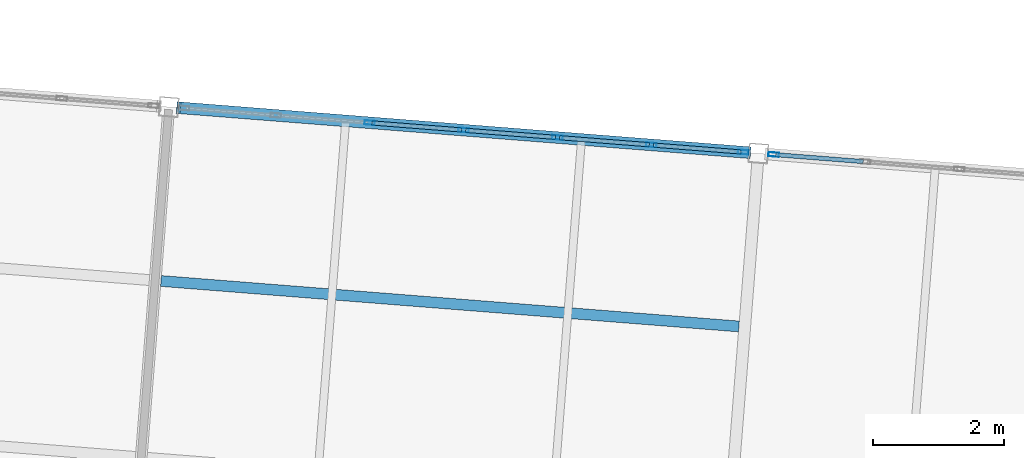
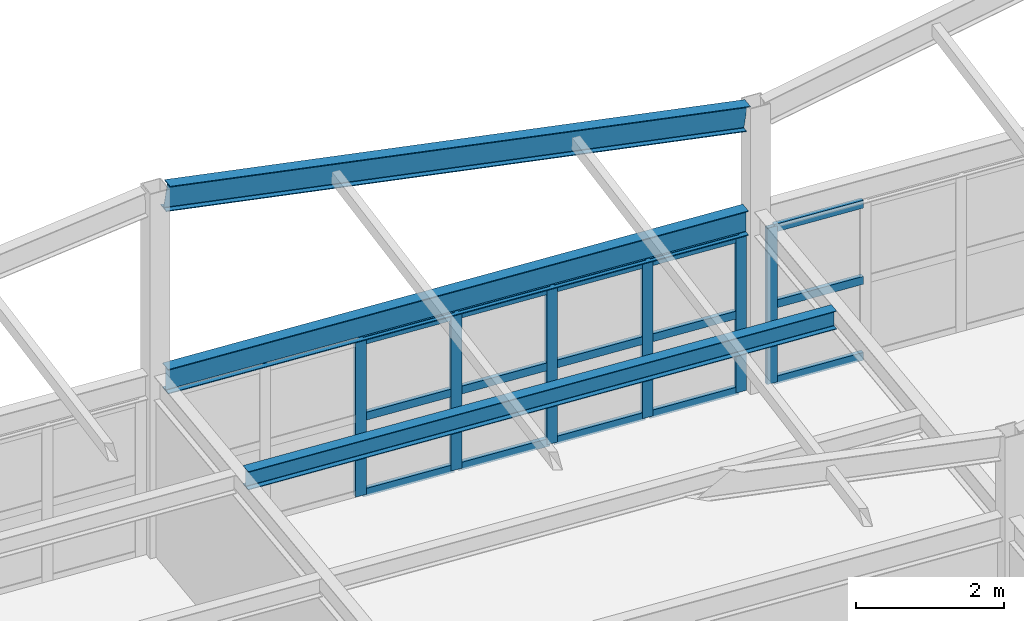
# One storey, part 51 of 127: 21 members, 3 beams, 2 elements without a shape of their own.
"""IFC4 building model written with IfcOpenShell, lengths in metres."""

from ifc_helpers import new_model, si_unit, direction, frame, origin, origin_2d, place, context, subcontext, project, spatial, hollow_rectangle, i_section, extrude, material, material_profile, profile_set, type_object, element, aggregate, save


model = new_model("IFC4")

# Units and contexts
model_context = context("Model", 3, precision=1e-05, world=origin(), true_north=direction((0.0, 1.0)))
body_context = subcontext(model_context, "Body", "Model", "MODEL_VIEW")
ifc_project = project(units=[si_unit("LENGTHUNIT", "METRE"), si_unit("AREAUNIT", "SQUARE_METRE"), si_unit("VOLUMEUNIT", "CUBIC_METRE"), si_unit("PLANEANGLEUNIT", "RADIAN"), si_unit("MASSUNIT", "GRAM", prefix="KILO")], contexts=[model_context])

# Site, building, storey
site_placement = place(None, origin())
site = spatial("IfcSite", under=ifc_project, at=site_placement, CompositionType="ELEMENT")
building_placement = place(site_placement, origin())
building = spatial("IfcBuilding", under=site, at=building_placement, Name="Kestramere Prow Commons", CompositionType="ELEMENT")
storey_placement = place(building_placement, frame((0.0, 0.0, 8.39990234375)))
storey = spatial("IfcBuildingStorey", under=building, at=storey_placement, Name="L02", CompositionType="ELEMENT", Elevation=8.39990234375)

# Beams
ifc_material_1 = material(Name="Steel S355JR", Category="steel")
ifc_material_profile_1 = material_profile(ifc_material_1, i_section(OverallWidth=0.177978515625, OverallDepth=0.406494140625, WebThickness=0.0078125, FlangeThickness=0.0126953125, FilletRadius=0.01025390625, at=origin_2d()), Name="UB 406x178x60")
ifc_profile_set_1 = profile_set([ifc_material_profile_1], Name="Steel S355JR")
beam_type_1 = type_object("IfcBeamType", Name="BM-NR-01 UB 406x178x60 (EX)", PredefinedType="BEAM", material=ifc_profile_set_1)
beam_1_placement = place(storey_placement, frame((88.5771484375, 108.001953125, 2.796875), z_axis=(0.996917066238, -0.078462494502, 0.0), x_axis=(0.078462494502, 0.996917066238, 0.0)))
element("IfcBeam", 1, at=beam_1_placement, inside=storey, type_object=beam_type_1, Name="Nursery L02 Beam U 4-3", PredefinedType="BEAM", context=body_context, shape_type="SweptSolid", body=[
    extrude(i_section(OverallWidth=0.177978515625, OverallDepth=0.406494140625, WebThickness=0.0078125, FlangeThickness=0.0126953125, FilletRadius=0.01025390625, at=origin_2d()), origin(), (0.0, 0.0, 1.0), 8.699951171875),
])
beam_2_placement = place(storey_placement, frame((88.5771484375, 108.001953125, 5.81689453125), z_axis=(0.985969484582, -0.077600863586, -0.147791344276), x_axis=(0.078462494502, 0.996917066238, 0.0)))
element("IfcBeam", 2, at=beam_2_placement, inside=storey, type_object=beam_type_1, Name="Nursery Butterfly Rafter 4-3", PredefinedType="BEAM", context=body_context, shape_type="SweptSolid", body=[
    extrude(i_section(OverallWidth=0.177978515625, OverallDepth=0.406494140625, WebThickness=0.0078125, FlangeThickness=0.0126953125, FilletRadius=0.01025390625, at=origin_2d()), origin(), (0.0, 0.0, 1.0), 8.796630859375),
])

# Curtain wall, members
ifc_material_2 = material(Name="Anodised Aluminium and Low-E Glass", Category="aluminium")
curtain_wall_type = type_object("IfcCurtainWallType", Name="CW-17 Glazed Curtain Wall 8600x2580", PredefinedType="USERDEFINED", material=ifc_material_2)
curtain_wall_1_placement = place(storey_placement, origin())
curtain_wall_1 = element("IfcCurtainWall", 3, at=curtain_wall_1_placement, inside=storey, type_object=curtain_wall_type, Name="Nursery L02 North Garden Glazing 3", ObjectType="GLAZED CURTAIN WALL", PredefinedType="USERDEFINED")
ifc_material_3 = material(Name="Anodised Aluminium 6063-T6", Category="aluminium")
ifc_material_profile_2 = material_profile(ifc_material_3, hollow_rectangle(XDim=0.06494140625, YDim=0.159912109375, WallThickness=0.00390625, at=origin_2d()), Name="ALU-MUL 65x160")
ifc_profile_set_2 = profile_set([ifc_material_profile_2], Name="Anodised Aluminium 6063-T6")
member_type_1 = type_object("IfcMemberType", Name="CW-MUL-65x160", PredefinedType="MULLION", material=ifc_profile_set_2)
member_1_placement = place(storey_placement, frame((91.48486328125, 107.773193359375, 0.0), z_axis=(0.0, 0.0, 1.0), x_axis=(0.078459070568, 0.996917335713, 0.0)))
member_1 = element("IfcMember", 4, at=member_1_placement, type_object=member_type_1, Name="CW-17 mullion 3", PredefinedType="MULLION", context=body_context, shape_type="SweptSolid", body=[
    extrude(hollow_rectangle(XDim=0.06494140625, YDim=0.159912109375, WallThickness=0.00390625, at=origin_2d()), origin(), (0.0, 0.0, 1.0), 2.580078125),
])
member_2_placement = place(storey_placement, frame((92.91357421875, 107.66064453125, 0.0), z_axis=(0.0, 0.0, 1.0), x_axis=(0.078459070568, 0.996917335713, 0.0)))
member_2 = element("IfcMember", 5, at=member_2_placement, type_object=member_type_1, Name="CW-17 mullion 4", PredefinedType="MULLION", context=body_context, shape_type="SweptSolid", body=[
    extrude(hollow_rectangle(XDim=0.06494140625, YDim=0.159912109375, WallThickness=0.00390625, at=origin_2d()), origin(), (0.0, 0.0, 1.0), 2.580078125),
])
member_3_placement = place(storey_placement, frame((94.342529296875, 107.54833984375, 0.0), z_axis=(0.0, 0.0, 1.0), x_axis=(0.078459070568, 0.996917335713, 0.0)))
member_3 = element("IfcMember", 6, at=member_3_placement, type_object=member_type_1, Name="CW-17 mullion 5", PredefinedType="MULLION", context=body_context, shape_type="SweptSolid", body=[
    extrude(hollow_rectangle(XDim=0.06494140625, YDim=0.159912109375, WallThickness=0.00390625, at=origin_2d()), origin(), (0.0, 0.0, 1.0), 2.580078125),
])
member_4_placement = place(storey_placement, frame((95.771484375, 107.435791015625, 0.0), z_axis=(0.0, 0.0, 1.0), x_axis=(0.078459070568, 0.996917335713, 0.0)))
member_4 = element("IfcMember", 7, at=member_4_placement, type_object=member_type_1, Name="CW-17 mullion 6", PredefinedType="MULLION", context=body_context, shape_type="SweptSolid", body=[
    extrude(hollow_rectangle(XDim=0.06494140625, YDim=0.159912109375, WallThickness=0.00390625, at=origin_2d()), origin(), (0.0, 0.0, 1.0), 2.580078125),
])
member_5_placement = place(storey_placement, frame((97.16796875, 107.325927734375, 0.0), z_axis=(0.0, 0.0, 1.0), x_axis=(0.078459070568, 0.996917335713, 0.0)))
member_5 = element("IfcMember", 8, at=member_5_placement, type_object=member_type_1, Name="CW-17 mullion 7", PredefinedType="MULLION", context=body_context, shape_type="SweptSolid", body=[
    extrude(hollow_rectangle(XDim=0.06494140625, YDim=0.159912109375, WallThickness=0.00390625, at=origin_2d()), origin(), (0.0, 0.0, 1.0), 2.580078125),
])

# Curtain wall, member
curtain_wall_2_placement = place(storey_placement, origin())
curtain_wall_2 = element("IfcCurtainWall", 9, at=curtain_wall_2_placement, inside=storey, type_object=curtain_wall_type, Name="Nursery L02 North Garden Glazing 4", ObjectType="GLAZED CURTAIN WALL", PredefinedType="USERDEFINED")
member_6_placement = place(storey_placement, frame((97.631591796875, 107.289306640625, 0.0), z_axis=(0.0, 0.0, 1.0), x_axis=(0.078459186136, 0.996917326618, 0.0)))
member_6 = element("IfcMember", 10, at=member_6_placement, type_object=member_type_1, Name="CW-17 mullion 1", PredefinedType="MULLION", context=body_context, shape_type="SweptSolid", body=[
    extrude(hollow_rectangle(XDim=0.06494140625, YDim=0.159912109375, WallThickness=0.00390625, at=origin_2d()), origin(), (0.0, 0.0, 1.0), 2.580078125),
])

# Member
ifc_material_profile_3 = material_profile(ifc_material_3, hollow_rectangle(XDim=0.06494140625, YDim=0.1298828125, WallThickness=0.00390625, at=origin_2d()), Name="ALU-TRN 65x130")
ifc_profile_set_3 = profile_set([ifc_material_profile_3], Name="Anodised Aluminium 6063-T6")
member_type_2 = type_object("IfcMemberType", Name="CW-TRN-65x130", PredefinedType="USERDEFINED", material=ifc_profile_set_3)
member_7_placement = place(storey_placement, frame((91.51708984375, 107.7705078125, 0.03271484375), z_axis=(0.996928280109, -0.078319884568, 0.0), x_axis=(0.078319884568, 0.996928280109, 0.0)))
member_7 = element("IfcMember", 11, at=member_7_placement, type_object=member_type_2, Name="CW-17 transom 3.1", ObjectType="TRANSOM", PredefinedType="USERDEFINED", context=body_context, shape_type="SweptSolid", body=[
    extrude(hollow_rectangle(XDim=0.06494140625, YDim=0.1298828125, WallThickness=0.00390625, at=origin_2d()), origin(), (0.0, 0.0, 1.0), 1.368408203125),
])

member_8_placement = place(storey_placement, frame((91.51708984375, 107.7705078125, 1.2900390625), z_axis=(0.996928280109, -0.078319884568, 0.0), x_axis=(0.078319884568, 0.996928280109, 0.0)))
member_8 = element("IfcMember", 12, at=member_8_placement, type_object=member_type_2, Name="CW-17 transom 3.2", ObjectType="TRANSOM", PredefinedType="USERDEFINED", context=body_context, shape_type="SweptSolid", body=[
    extrude(hollow_rectangle(XDim=0.06494140625, YDim=0.1298828125, WallThickness=0.00390625, at=origin_2d()), origin(), (0.0, 0.0, 1.0), 1.368408203125),
])

member_9_placement = place(storey_placement, frame((91.51708984375, 107.7705078125, 2.547607421875), z_axis=(0.996928280109, -0.078319884568, 0.0), x_axis=(0.078319884568, 0.996928280109, 0.0)))
member_9 = element("IfcMember", 13, at=member_9_placement, type_object=member_type_2, Name="CW-17 transom 3.3", ObjectType="TRANSOM", PredefinedType="USERDEFINED", context=body_context, shape_type="SweptSolid", body=[
    extrude(hollow_rectangle(XDim=0.06494140625, YDim=0.1298828125, WallThickness=0.00390625, at=origin_2d()), origin(), (0.0, 0.0, 1.0), 1.368408203125),
])

member_10_placement = place(storey_placement, frame((92.946044921875, 107.658203125, 0.03271484375), z_axis=(0.996913235205, -0.07851115509, 0.0), x_axis=(0.07851115509, 0.996913235205, 0.0)))
member_10 = element("IfcMember", 14, at=member_10_placement, type_object=member_type_2, Name="CW-17 transom 4.1", ObjectType="TRANSOM", PredefinedType="USERDEFINED", context=body_context, shape_type="SweptSolid", body=[
    extrude(hollow_rectangle(XDim=0.06494140625, YDim=0.1298828125, WallThickness=0.00390625, at=origin_2d()), origin(), (0.0, 0.0, 1.0), 1.3681640625),
])

member_11_placement = place(storey_placement, frame((92.946044921875, 107.658203125, 1.2900390625), z_axis=(0.996913235205, -0.07851115509, 0.0), x_axis=(0.07851115509, 0.996913235205, 0.0)))
member_11 = element("IfcMember", 15, at=member_11_placement, type_object=member_type_2, Name="CW-17 transom 4.2", ObjectType="TRANSOM", PredefinedType="USERDEFINED", context=body_context, shape_type="SweptSolid", body=[
    extrude(hollow_rectangle(XDim=0.06494140625, YDim=0.1298828125, WallThickness=0.00390625, at=origin_2d()), origin(), (0.0, 0.0, 1.0), 1.3681640625),
])

member_12_placement = place(storey_placement, frame((92.946044921875, 107.658203125, 2.547607421875), z_axis=(0.996913235205, -0.07851115509, 0.0), x_axis=(0.07851115509, 0.996913235205, 0.0)))
member_12 = element("IfcMember", 16, at=member_12_placement, type_object=member_type_2, Name="CW-17 transom 4.3", ObjectType="TRANSOM", PredefinedType="USERDEFINED", context=body_context, shape_type="SweptSolid", body=[
    extrude(hollow_rectangle(XDim=0.06494140625, YDim=0.1298828125, WallThickness=0.00390625, at=origin_2d()), origin(), (0.0, 0.0, 1.0), 1.3681640625),
])

member_13_placement = place(storey_placement, frame((94.375, 107.545654296875, 0.03271484375), z_axis=(0.996913235205, -0.07851115509, 0.0), x_axis=(0.07851115509, 0.996913235205, 0.0)))
member_13 = element("IfcMember", 17, at=member_13_placement, type_object=member_type_2, Name="CW-17 transom 5.1", ObjectType="TRANSOM", PredefinedType="USERDEFINED", context=body_context, shape_type="SweptSolid", body=[
    extrude(hollow_rectangle(XDim=0.06494140625, YDim=0.1298828125, WallThickness=0.00390625, at=origin_2d()), origin(), (0.0, 0.0, 1.0), 1.3681640625),
])

member_14_placement = place(storey_placement, frame((94.375, 107.545654296875, 1.2900390625), z_axis=(0.996913235205, -0.07851115509, 0.0), x_axis=(0.07851115509, 0.996913235205, 0.0)))
member_14 = element("IfcMember", 18, at=member_14_placement, type_object=member_type_2, Name="CW-17 transom 5.2", ObjectType="TRANSOM", PredefinedType="USERDEFINED", context=body_context, shape_type="SweptSolid", body=[
    extrude(hollow_rectangle(XDim=0.06494140625, YDim=0.1298828125, WallThickness=0.00390625, at=origin_2d()), origin(), (0.0, 0.0, 1.0), 1.3681640625),
])

member_15_placement = place(storey_placement, frame((94.375, 107.545654296875, 2.547607421875), z_axis=(0.996913235205, -0.07851115509, 0.0), x_axis=(0.07851115509, 0.996913235205, 0.0)))
member_15 = element("IfcMember", 19, at=member_15_placement, type_object=member_type_2, Name="CW-17 transom 5.3", ObjectType="TRANSOM", PredefinedType="USERDEFINED", context=body_context, shape_type="SweptSolid", body=[
    extrude(hollow_rectangle(XDim=0.06494140625, YDim=0.1298828125, WallThickness=0.00390625, at=origin_2d()), origin(), (0.0, 0.0, 1.0), 1.3681640625),
])

member_16_placement = place(storey_placement, frame((95.803955078125, 107.43310546875, 0.03271484375), z_axis=(0.996920751352, -0.07841565866, 0.0), x_axis=(0.07841565866, 0.996920751352, 0.0)))
member_16 = element("IfcMember", 20, at=member_16_placement, type_object=member_type_2, Name="CW-17 transom 6.1", ObjectType="TRANSOM", PredefinedType="USERDEFINED", context=body_context, shape_type="SweptSolid", body=[
    extrude(hollow_rectangle(XDim=0.06494140625, YDim=0.1298828125, WallThickness=0.00390625, at=origin_2d()), origin(), (0.0, 0.0, 1.0), 1.335693359375),
])

member_17_placement = place(storey_placement, frame((95.803955078125, 107.43310546875, 1.2900390625), z_axis=(0.996920751352, -0.07841565866, 0.0), x_axis=(0.07841565866, 0.996920751352, 0.0)))
member_17 = element("IfcMember", 21, at=member_17_placement, type_object=member_type_2, Name="CW-17 transom 6.2", ObjectType="TRANSOM", PredefinedType="USERDEFINED", context=body_context, shape_type="SweptSolid", body=[
    extrude(hollow_rectangle(XDim=0.06494140625, YDim=0.1298828125, WallThickness=0.00390625, at=origin_2d()), origin(), (0.0, 0.0, 1.0), 1.335693359375),
])

member_18_placement = place(storey_placement, frame((95.803955078125, 107.43310546875, 2.547607421875), z_axis=(0.996920751352, -0.07841565866, 0.0), x_axis=(0.07841565866, 0.996920751352, 0.0)))
member_18 = element("IfcMember", 22, at=member_18_placement, type_object=member_type_2, Name="CW-17 transom 6.3", ObjectType="TRANSOM", PredefinedType="USERDEFINED", context=body_context, shape_type="SweptSolid", body=[
    extrude(hollow_rectangle(XDim=0.06494140625, YDim=0.1298828125, WallThickness=0.00390625, at=origin_2d()), origin(), (0.0, 0.0, 1.0), 1.335693359375),
])

aggregate(curtain_wall_1, [member_1, member_2, member_3, member_4, member_5, member_7, member_8, member_9, member_10, member_11, member_12, member_13, member_14, member_15, member_16, member_17, member_18])

member_19_placement = place(storey_placement, frame((97.6640625, 107.286865234375, 0.03271484375), z_axis=(0.996920751352, -0.07841565866, 0.0), x_axis=(0.07841565866, 0.996920751352, 0.0)))
member_19 = element("IfcMember", 23, at=member_19_placement, type_object=member_type_2, Name="CW-17 transom 1.1", ObjectType="TRANSOM", PredefinedType="USERDEFINED", context=body_context, shape_type="SweptSolid", body=[
    extrude(hollow_rectangle(XDim=0.06494140625, YDim=0.1298828125, WallThickness=0.00390625, at=origin_2d()), origin(), (0.0, 0.0, 1.0), 1.335693359375),
])

member_20_placement = place(storey_placement, frame((97.6640625, 107.286865234375, 1.2900390625), z_axis=(0.996920751352, -0.07841565866, 0.0), x_axis=(0.07841565866, 0.996920751352, 0.0)))
member_20 = element("IfcMember", 24, at=member_20_placement, type_object=member_type_2, Name="CW-17 transom 1.2", ObjectType="TRANSOM", PredefinedType="USERDEFINED", context=body_context, shape_type="SweptSolid", body=[
    extrude(hollow_rectangle(XDim=0.06494140625, YDim=0.1298828125, WallThickness=0.00390625, at=origin_2d()), origin(), (0.0, 0.0, 1.0), 1.335693359375),
])

member_21_placement = place(storey_placement, frame((97.6640625, 107.286865234375, 2.547607421875), z_axis=(0.996920751352, -0.07841565866, 0.0), x_axis=(0.07841565866, 0.996920751352, 0.0)))
member_21 = element("IfcMember", 25, at=member_21_placement, type_object=member_type_2, Name="CW-17 transom 1.3", ObjectType="TRANSOM", PredefinedType="USERDEFINED", context=body_context, shape_type="SweptSolid", body=[
    extrude(hollow_rectangle(XDim=0.06494140625, YDim=0.1298828125, WallThickness=0.00390625, at=origin_2d()), origin(), (0.0, 0.0, 1.0), 1.335693359375),
])

aggregate(curtain_wall_2, [member_6, member_19, member_20, member_21])

# Beam
ifc_material_profile_4 = material_profile(ifc_material_1, i_section(OverallWidth=0.1650390625, OverallDepth=0.303466796875, WebThickness=0.006103515625, FlangeThickness=0.01025390625, FilletRadius=0.0087890625, at=origin_2d()), Name="UB 305x165x40")
ifc_profile_set_4 = profile_set([ifc_material_profile_4], Name="Steel S355JR")
beam_type_2 = type_object("IfcBeamType", Name="JST-NR-01 UB 305x165x40", PredefinedType="JOIST", material=ifc_profile_set_4)
beam_3_placement = place(storey_placement, frame((88.308349609375, 105.364990234375, 2.848388671875), z_axis=(0.996917659029, -0.07845496234, 0.0), x_axis=(0.07845496234, 0.996917659029, 0.0)))
element("IfcBeam", 26, at=beam_3_placement, inside=storey, type_object=beam_type_2, Name="Nursery L02 Secondary Joist 3-3", PredefinedType="JOIST", context=body_context, shape_type="SweptSolid", body=[
    extrude(i_section(OverallWidth=0.1650390625, OverallDepth=0.303466796875, WebThickness=0.006103515625, FlangeThickness=0.01025390625, FilletRadius=0.0087890625, at=origin_2d()), origin(), (0.0, 0.0, 1.0), 8.822021484375),
])

save(model, "model.ifc")
